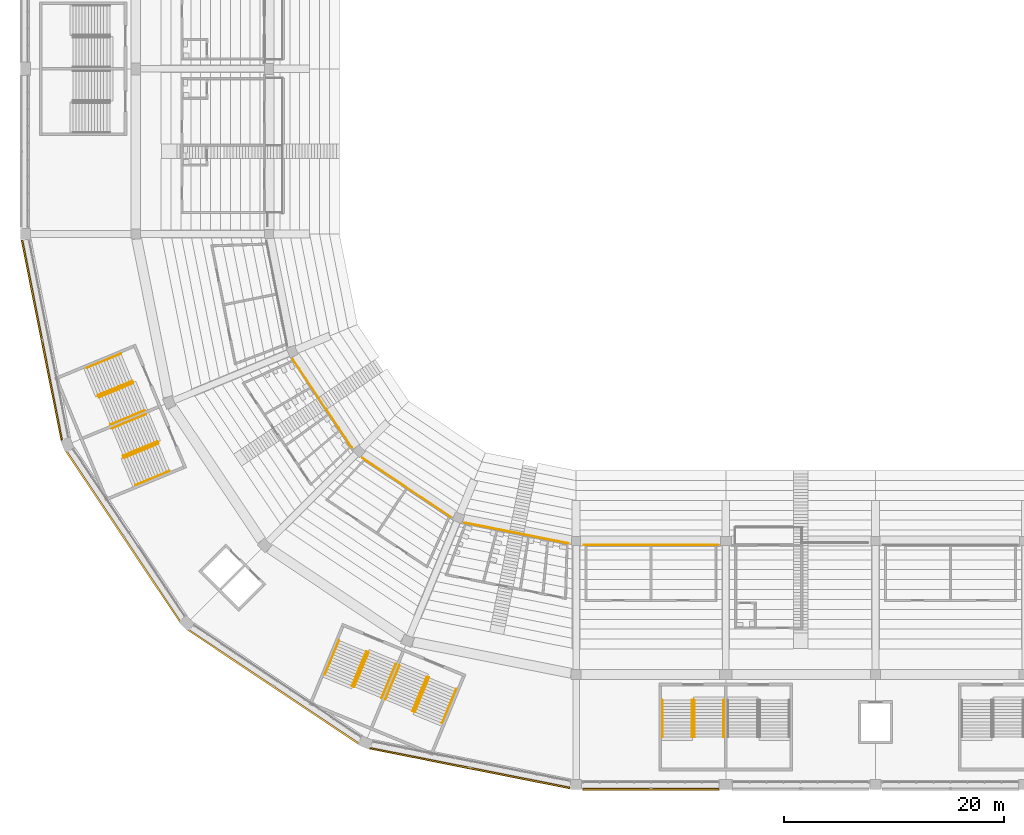
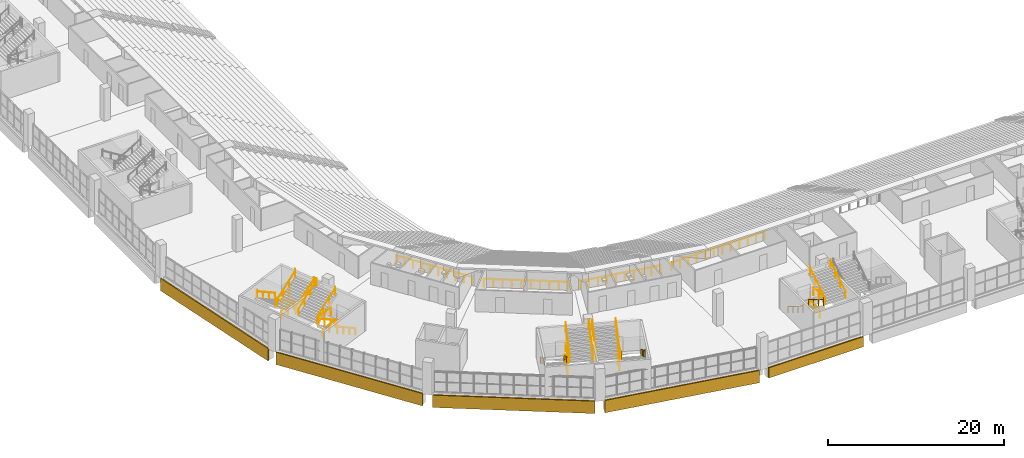
# One storey, part 233 of 249: 34 railings, 5 coverings.
"""IFC4 building model written with IfcOpenShell, lengths in metres."""

from ifc_helpers import new_model, si_unit, direction, frame, origin, origin_2d, place, context, subcontext, project, spatial, polyline, circle, outline, extrude, material, layer, layer_set, type_object, element, save


model = new_model("IFC4")

# Units and contexts
model_context = context("Model", 3, precision=1e-05, world=origin(), true_north=direction((0.0, 1.0)))
body_context = subcontext(model_context, "Body", "Model", "MODEL_VIEW")
ifc_project = project(units=[si_unit("LENGTHUNIT", "METRE"), si_unit("AREAUNIT", "SQUARE_METRE"), si_unit("VOLUMEUNIT", "CUBIC_METRE"), si_unit("PLANEANGLEUNIT", "RADIAN"), si_unit("MASSUNIT", "GRAM", prefix="KILO")], contexts=[model_context])

# Site, building, storey
site_placement = place(None, origin())
site = spatial("IfcSite", under=ifc_project, at=site_placement, CompositionType="ELEMENT")
building_placement = place(site_placement, origin())
building = spatial("IfcBuilding", under=site, at=building_placement, Name="Ogive Plaza Stadium", CompositionType="ELEMENT")
storey_placement = place(building_placement, frame((0.0, 0.0, 13.5)))
storey = spatial("IfcBuildingStorey", under=building, at=storey_placement, Name="L03", CompositionType="ELEMENT", Elevation=13.5)

# Railings
ifc_material_1 = material(Name="Steel ASTM A572 Grade 50", Category="steel")
railing_type_1 = type_object("IfcRailingType", Name="Guard 1100", PredefinedType="GUARDRAIL", material=ifc_material_1)
for number, where, name in (
    (1, (-23.375, -94.85009765625, 0.0), "Stair well guard ST16A L03"),
    (2, (-23.375, -95.81005859375, 2.25), "Stair well guard ST16A L03"),
):
    element("IfcRailing", number, at=place(storey_placement, frame(where)), inside=storey, type_object=railing_type_1, Name=name, PredefinedType="GUARDRAIL", context=body_context, shape_type="SweptSolid", body=[
        extrude(circle(Radius=0.02392578125, at=origin_2d()), frame((0.0, 0.0, 1.076171875), z_axis=(0.0, -1.0, 0.0), x_axis=(1.0, 0.0, 0.0)), (0.0, 0.0, 1.0), 2.39990234375),
        extrude(circle(Radius=0.02099609375, at=origin_2d()), origin(), (0.0, 0.0, 1.0), 1.052001953125),
        extrude(circle(Radius=0.02099609375, at=origin_2d()), frame((0.0, -1.199951171875, 0.0)), (0.0, 0.0, 1.0), 1.052001953125),
        extrude(circle(Radius=0.02099609375, at=origin_2d()), frame((0.0, -2.39990234375, 0.0)), (0.0, 0.0, 1.0), 1.052001953125),
    ])
for number, where, name in (
    (3, (-52.955078125, -90.48779296875, 0.0), "Stair well guard ST18A L03"),
    (4, (-53.322509765625, -91.374755859375, 2.25), "Stair well guard ST18A L03"),
    (5, (-47.4580078125, -92.764892578125, 0.0), "Stair well guard ST18B L03"),
    (6, (-47.825439453125, -93.651611328125, 2.25), "Stair well guard ST18B L03"),
):
    element("IfcRailing", number, at=place(storey_placement, frame(where)), inside=storey, type_object=railing_type_1, Name=name, PredefinedType="GUARDRAIL", context=body_context, shape_type="SweptSolid", body=[
        extrude(circle(Radius=0.02392578125, at=origin_2d()), frame((0.0, 0.0, 1.076171875), z_axis=(-0.382693194178, -0.923875488976, 0.0), x_axis=(0.923875488976, -0.382693194178, 0.0)), (0.0, 0.0, 1.0), 2.39990234375),
        extrude(circle(Radius=0.02099609375, at=origin_2d()), origin(), (0.0, 0.0, 1.0), 1.052001953125),
        extrude(circle(Radius=0.02099609375, at=origin_2d()), frame((-0.459228515625, -1.108642578125, 0.0)), (0.0, 0.0, 1.0), 1.052001953125),
        extrude(circle(Radius=0.02099609375, at=origin_2d()), frame((-0.91845703125, -2.21728515625, 0.0)), (0.0, 0.0, 1.0), 1.052001953125),
    ])
for number, where, name in (
    (7, (-74.264892578125, -65.9580078125, 0.0), "Stair well guard ST20A L03"),
    (8, (-75.151611328125, -66.325439453125, 2.25), "Stair well guard ST20A L03"),
    (9, (-71.98779296875, -71.455078125, 0.0), "Stair well guard ST20B L03"),
    (10, (-72.874755859375, -71.822509765625, 2.25), "Stair well guard ST20B L03"),
):
    element("IfcRailing", number, at=place(storey_placement, frame(where)), inside=storey, type_object=railing_type_1, Name=name, PredefinedType="GUARDRAIL", context=body_context, shape_type="SweptSolid", body=[
        extrude(circle(Radius=0.02392578125, at=origin_2d()), frame((0.0, 0.0, 1.076171875), z_axis=(-0.923875488976, -0.382693194178, 0.0), x_axis=(0.382693194178, -0.923875488976, 0.0)), (0.0, 0.0, 1.0), 2.39990234375),
        extrude(circle(Radius=0.02099609375, at=origin_2d()), origin(), (0.0, 0.0, 1.0), 1.052001953125),
        extrude(circle(Radius=0.02099609375, at=origin_2d()), frame((-1.108642578125, -0.459228515625, 0.0)), (0.0, 0.0, 1.0), 1.052001953125),
        extrude(circle(Radius=0.02099609375, at=origin_2d()), frame((-2.21728515625, -0.91845703125, 0.0)), (0.0, 0.0, 1.0), 1.052001953125),
    ])
railing_1_placement = place(storey_placement, frame((-21.10009765625, -80.75, 0.0)))
element("IfcRailing", 11, at=railing_1_placement, inside=storey, type_object=railing_type_1, Name="Guard L03 B16", PredefinedType="GUARDRAIL", context=body_context, shape_type="SweptSolid", body=[
    extrude(circle(Radius=0.02392578125, at=origin_2d()), frame((0.0, 0.0, 1.076171875), z_axis=(-1.0, 0.0, 0.0), x_axis=(0.0, -1.0, 0.0)), (0.0, 0.0, 1.0), 12.199951171875),
    extrude(circle(Radius=0.02099609375, at=origin_2d()), origin(), (0.0, 0.0, 1.0), 1.052001953125),
    extrude(circle(Radius=0.02099609375, at=origin_2d()), frame((-1.109130859375, 0.0, 0.0)), (0.0, 0.0, 1.0), 1.052001953125),
    extrude(circle(Radius=0.02099609375, at=origin_2d()), frame((-2.21826171875, 0.0, 0.0)), (0.0, 0.0, 1.0), 1.052001953125),
    extrude(circle(Radius=0.02099609375, at=origin_2d()), frame((-3.3271484375, 0.0, 0.0)), (0.0, 0.0, 1.0), 1.052001953125),
    extrude(circle(Radius=0.02099609375, at=origin_2d()), frame((-4.436279296875, 0.0, 0.0)), (0.0, 0.0, 1.0), 1.052001953125),
    extrude(circle(Radius=0.02099609375, at=origin_2d()), frame((-5.54541015625, 0.0, 0.0)), (0.0, 0.0, 1.0), 1.052001953125),
    extrude(circle(Radius=0.02099609375, at=origin_2d()), frame((-6.654541015625, 0.0, 0.0)), (0.0, 0.0, 1.0), 1.052001953125),
    extrude(circle(Radius=0.02099609375, at=origin_2d()), frame((-7.763671875, 0.0, 0.0)), (0.0, 0.0, 1.0), 1.052001953125),
    extrude(circle(Radius=0.02099609375, at=origin_2d()), frame((-8.872802734375, 0.0, 0.0)), (0.0, 0.0, 1.0), 1.052001953125),
    extrude(circle(Radius=0.02099609375, at=origin_2d()), frame((-9.981689453125, 0.0, 0.0)), (0.0, 0.0, 1.0), 1.052001953125),
    extrude(circle(Radius=0.02099609375, at=origin_2d()), frame((-11.0908203125, 0.0, 0.0)), (0.0, 0.0, 1.0), 1.052001953125),
    extrude(circle(Radius=0.02099609375, at=origin_2d()), frame((-12.199951171875, 0.0, 0.0)), (0.0, 0.0, 1.0), 1.052001953125),
])
railing_2_placement = place(storey_placement, frame((-34.6865234375, -80.613525390625, 0.0)))
element("IfcRailing", 12, at=railing_2_placement, inside=storey, type_object=railing_type_1, Name="Guard L03 B17", PredefinedType="GUARDRAIL", context=body_context, shape_type="SweptSolid", body=[
    extrude(circle(Radius=0.02392578125, at=origin_2d()), frame((0.0, 0.0, 1.076171875), z_axis=(-0.980782150928, 0.195106054289, 0.0), x_axis=(-0.195106054289, -0.980782150928, 0.0)), (0.0, 0.0, 1.0), 9.62255859375),
    extrude(circle(Radius=0.02099609375, at=origin_2d()), origin(), (0.0, 0.0, 1.0), 1.052001953125),
    extrude(circle(Radius=0.02099609375, at=origin_2d()), frame((-1.048583984375, 0.20849609375, 0.0)), (0.0, 0.0, 1.0), 1.052001953125),
    extrude(circle(Radius=0.02099609375, at=origin_2d()), frame((-2.09716796875, 0.417236328125, 0.0)), (0.0, 0.0, 1.0), 1.052001953125),
    extrude(circle(Radius=0.02099609375, at=origin_2d()), frame((-3.14599609375, 0.625732421875, 0.0)), (0.0, 0.0, 1.0), 1.052001953125),
    extrude(circle(Radius=0.02099609375, at=origin_2d()), frame((-4.194580078125, 0.83447265625, 0.0)), (0.0, 0.0, 1.0), 1.052001953125),
    extrude(circle(Radius=0.02099609375, at=origin_2d()), frame((-5.2431640625, 1.04296875, 0.0)), (0.0, 0.0, 1.0), 1.052001953125),
    extrude(circle(Radius=0.02099609375, at=origin_2d()), frame((-6.291748046875, 1.251708984375, 0.0)), (0.0, 0.0, 1.0), 1.052001953125),
    extrude(circle(Radius=0.02099609375, at=origin_2d()), frame((-7.340576171875, 1.460205078125, 0.0)), (0.0, 0.0, 1.0), 1.052001953125),
    extrude(circle(Radius=0.02099609375, at=origin_2d()), frame((-8.38916015625, 1.6689453125, 0.0)), (0.0, 0.0, 1.0), 1.052001953125),
    extrude(circle(Radius=0.02099609375, at=origin_2d()), frame((-9.437744140625, 1.87744140625, 0.0)), (0.0, 0.0, 1.0), 1.052001953125),
])
railing_3_placement = place(storey_placement, frame((-45.392822265625, -78.210693359375, 0.0)))
element("IfcRailing", 13, at=railing_3_placement, inside=storey, type_object=railing_type_1, Name="Guard L03 B18", PredefinedType="GUARDRAIL", context=body_context, shape_type="SweptSolid", body=[
    extrude(circle(Radius=0.02392578125, at=origin_2d()), frame((0.0, 0.0, 1.076171875), z_axis=(-0.831476062087, 0.555560580114, 0.0), x_axis=(-0.555560580114, -0.831476062087, 0.0)), (0.0, 0.0, 1.0), 9.62255859375),
    extrude(circle(Radius=0.02099609375, at=origin_2d()), origin(), (0.0, 0.0, 1.0), 1.052001953125),
    extrude(circle(Radius=0.02099609375, at=origin_2d()), frame((-0.888916015625, 0.593994140625, 0.0)), (0.0, 0.0, 1.0), 1.052001953125),
    extrude(circle(Radius=0.02099609375, at=origin_2d()), frame((-1.778076171875, 1.18798828125, 0.0)), (0.0, 0.0, 1.0), 1.052001953125),
    extrude(circle(Radius=0.02099609375, at=origin_2d()), frame((-2.6669921875, 1.781982421875, 0.0)), (0.0, 0.0, 1.0), 1.052001953125),
    extrude(circle(Radius=0.02099609375, at=origin_2d()), frame((-3.555908203125, 2.3759765625, 0.0)), (0.0, 0.0, 1.0), 1.052001953125),
    extrude(circle(Radius=0.02099609375, at=origin_2d()), frame((-4.445068359375, 2.969970703125, 0.0)), (0.0, 0.0, 1.0), 1.052001953125),
    extrude(circle(Radius=0.02099609375, at=origin_2d()), frame((-5.333984375, 3.56396484375, 0.0)), (0.0, 0.0, 1.0), 1.052001953125),
    extrude(circle(Radius=0.02099609375, at=origin_2d()), frame((-6.222900390625, 4.157958984375, 0.0)), (0.0, 0.0, 1.0), 1.052001953125),
    extrude(circle(Radius=0.02099609375, at=origin_2d()), frame((-7.112060546875, 4.751953125, 0.0)), (0.0, 0.0, 1.0), 1.052001953125),
    extrude(circle(Radius=0.02099609375, at=origin_2d()), frame((-8.0009765625, 5.345947265625, 0.0)), (0.0, 0.0, 1.0), 1.052001953125),
])
railing_4_placement = place(storey_placement, frame((-54.36474609375, -71.893798828125, 0.0)))
element("IfcRailing", 14, at=railing_4_placement, inside=storey, type_object=railing_type_1, Name="Guard L03 B19", PredefinedType="GUARDRAIL", context=body_context, shape_type="SweptSolid", body=[
    extrude(circle(Radius=0.02392578125, at=origin_2d()), frame((0.0, 0.0, 1.076171875), z_axis=(-0.555560580114, 0.831476062087, 0.0), x_axis=(-0.831476062087, -0.555560580114, 0.0)), (0.0, 0.0, 1.0), 9.62255859375),
    extrude(circle(Radius=0.02099609375, at=origin_2d()), origin(), (0.0, 0.0, 1.0), 1.052001953125),
    extrude(circle(Radius=0.02099609375, at=origin_2d()), frame((-0.593994140625, 0.888916015625, 0.0)), (0.0, 0.0, 1.0), 1.052001953125),
    extrude(circle(Radius=0.02099609375, at=origin_2d()), frame((-1.18798828125, 1.778076171875, 0.0)), (0.0, 0.0, 1.0), 1.052001953125),
    extrude(circle(Radius=0.02099609375, at=origin_2d()), frame((-1.781982421875, 2.6669921875, 0.0)), (0.0, 0.0, 1.0), 1.052001953125),
    extrude(circle(Radius=0.02099609375, at=origin_2d()), frame((-2.3759765625, 3.555908203125, 0.0)), (0.0, 0.0, 1.0), 1.052001953125),
    extrude(circle(Radius=0.02099609375, at=origin_2d()), frame((-2.969970703125, 4.445068359375, 0.0)), (0.0, 0.0, 1.0), 1.052001953125),
    extrude(circle(Radius=0.02099609375, at=origin_2d()), frame((-3.56396484375, 5.333984375, 0.0)), (0.0, 0.0, 1.0), 1.052001953125),
    extrude(circle(Radius=0.02099609375, at=origin_2d()), frame((-4.157958984375, 6.222900390625, 0.0)), (0.0, 0.0, 1.0), 1.052001953125),
    extrude(circle(Radius=0.02099609375, at=origin_2d()), frame((-4.751953125, 7.112060546875, 0.0)), (0.0, 0.0, 1.0), 1.052001953125),
    extrude(circle(Radius=0.02099609375, at=origin_2d()), frame((-5.345947265625, 8.0009765625, 0.0)), (0.0, 0.0, 1.0), 1.052001953125),
])
ifc_material_2 = material(Name="Steel ASTM A572 Grade 50", Category="steel")
railing_type_2 = type_object("IfcRailingType", Name="Handrail 900", PredefinedType="HANDRAIL", material=ifc_material_2)
for number, where, name in (
    (15, (-26.1650390625, -94.85009765625, 0.173095703125), "Handrail ST16A L03"),
    (16, (-23.485107421875, -94.85009765625, 0.173095703125), "Handrail ST16A L03"),
):
    element("IfcRailing", number, at=place(storey_placement, frame(where)), inside=storey, type_object=railing_type_2, Name=name, PredefinedType="HANDRAIL", context=body_context, shape_type="SweptSolid", body=[
        extrude(circle(Radius=0.02392578125, at=origin_2d()), frame((0.0, 0.0, 0.8759765625), z_axis=(0.0, -0.850606129759, 0.525803396734), x_axis=(1.0, 0.0, 0.0)), (0.0, 0.0, 1.0), 3.949951171875),
        extrude(circle(Radius=0.02099609375, at=origin_2d()), origin(), (0.0, 0.0, 1.0), 0.851806640625),
        extrude(circle(Radius=0.02099609375, at=origin_2d()), frame((0.0, -1.119873046875, 0.6923828125)), (0.0, 0.0, 1.0), 0.851806640625),
        extrude(circle(Radius=0.02099609375, at=origin_2d()), frame((0.0, -2.239990234375, 1.384521484375)), (0.0, 0.0, 1.0), 0.851806640625),
        extrude(circle(Radius=0.02099609375, at=origin_2d()), frame((0.0, -3.35986328125, 2.076904296875)), (0.0, 0.0, 1.0), 1.10009765625),
    ])
for number, where, name in (
    (17, (-23.264892578125, -98.2099609375, 2.423095703125), "Handrail ST16A L03"),
    (18, (-20.5849609375, -98.2099609375, 2.423095703125), "Handrail ST16A L03"),
):
    element("IfcRailing", number, at=place(storey_placement, frame(where)), inside=storey, type_object=railing_type_2, Name=name, PredefinedType="HANDRAIL", context=body_context, shape_type="SweptSolid", body=[
        extrude(circle(Radius=0.02392578125, at=origin_2d()), frame((0.0, 0.0, 0.8759765625), z_axis=(0.0, 0.850606129759, 0.525803396734), x_axis=(-1.0, 0.0, 0.0)), (0.0, 0.0, 1.0), 3.949951171875),
        extrude(circle(Radius=0.02099609375, at=origin_2d()), origin(), (0.0, 0.0, 1.0), 0.851806640625),
        extrude(circle(Radius=0.02099609375, at=origin_2d()), frame((0.0, 1.119873046875, 0.6923828125)), (0.0, 0.0, 1.0), 0.851806640625),
        extrude(circle(Radius=0.02099609375, at=origin_2d()), frame((0.0, 2.239990234375, 1.384521484375)), (0.0, 0.0, 1.0), 0.851806640625),
        extrude(circle(Radius=0.02099609375, at=origin_2d()), frame((0.0, 3.35986328125, 2.076904296875)), (0.0, 0.0, 1.0), 1.10009765625),
    ])
railing_5_placement = place(storey_placement, frame((-55.53271484375, -89.420166015625, 0.173095703125)))
element("IfcRailing", 19, at=railing_5_placement, inside=storey, type_object=railing_type_2, Name="Handrail ST18A L03", PredefinedType="HANDRAIL", context=body_context, shape_type="SweptSolid", body=[
    extrude(circle(Radius=0.02392578125, at=origin_2d()), frame((0.0, 0.0, 0.8759765625), z_axis=(-0.32553207776, -0.785862990074, 0.525783441334), x_axis=(0.923872479269, -0.382700459954, 0.0)), (0.0, 0.0, 1.0), 3.9501953125),
    extrude(circle(Radius=0.02099609375, at=origin_2d()), origin(), (0.0, 0.0, 1.0), 0.851806640625),
    extrude(circle(Radius=0.02099609375, at=origin_2d()), frame((-0.4287109375, -1.03466796875, 0.6923828125)), (0.0, 0.0, 1.0), 0.851806640625),
    extrude(circle(Radius=0.02099609375, at=origin_2d()), frame((-0.857177734375, -2.069580078125, 1.384521484375)), (0.0, 0.0, 1.0), 0.851806640625),
    extrude(circle(Radius=0.02099609375, at=origin_2d()), frame((-1.285888671875, -3.104248046875, 2.076904296875)), (0.0, 0.0, 1.0), 1.10009765625),
])
railing_6_placement = place(storey_placement, frame((-53.056884765625, -90.44580078125, 0.173095703125)))
element("IfcRailing", 20, at=railing_6_placement, inside=storey, type_object=railing_type_2, Name="Handrail ST18A L03", PredefinedType="HANDRAIL", context=body_context, shape_type="SweptSolid", body=[
    extrude(circle(Radius=0.02392578125, at=origin_2d()), frame((0.0, 0.0, 0.8759765625), z_axis=(-0.325476819766, -0.785878800478, 0.525794019321), x_axis=(0.923898168054, -0.382638439086, 0.0)), (0.0, 0.0, 1.0), 3.949951171875),
    extrude(circle(Radius=0.02099609375, at=origin_2d()), origin(), (0.0, 0.0, 1.0), 0.851806640625),
    extrude(circle(Radius=0.02099609375, at=origin_2d()), frame((-0.428466796875, -1.03466796875, 0.6923828125)), (0.0, 0.0, 1.0), 0.851806640625),
    extrude(circle(Radius=0.02099609375, at=origin_2d()), frame((-0.857177734375, -2.069580078125, 1.384521484375)), (0.0, 0.0, 1.0), 0.851806640625),
    extrude(circle(Radius=0.02099609375, at=origin_2d()), frame((-1.28564453125, -3.104248046875, 2.076904296875)), (0.0, 0.0, 1.0), 1.10009765625),
])
railing_7_placement = place(storey_placement, frame((-54.139404296875, -93.634033203125, 2.423095703125)))
element("IfcRailing", 21, at=railing_7_placement, inside=storey, type_object=railing_type_2, Name="Handrail ST18A L03", PredefinedType="HANDRAIL", context=body_context, shape_type="SweptSolid", body=[
    extrude(circle(Radius=0.02392578125, at=origin_2d()), frame((0.0, 0.0, 0.8759765625), z_axis=(0.325547889718, 0.78583935255, 0.525808980033), x_axis=(-0.923861836433, 0.382726151683, 0.0)), (0.0, 0.0, 1.0), 3.949951171875),
    extrude(circle(Radius=0.02099609375, at=origin_2d()), origin(), (0.0, 0.0, 1.0), 0.851806640625),
    extrude(circle(Radius=0.02099609375, at=origin_2d()), frame((0.4287109375, 1.03466796875, 0.6923828125)), (0.0, 0.0, 1.0), 0.851806640625),
    extrude(circle(Radius=0.02099609375, at=origin_2d()), frame((0.857177734375, 2.0693359375, 1.384521484375)), (0.0, 0.0, 1.0), 0.851806640625),
    extrude(circle(Radius=0.02099609375, at=origin_2d()), frame((1.285888671875, 3.10400390625, 2.076904296875)), (0.0, 0.0, 1.0), 1.10009765625),
])
railing_8_placement = place(storey_placement, frame((-51.663330078125, -94.65966796875, 2.423095703125)))
element("IfcRailing", 22, at=railing_8_placement, inside=storey, type_object=railing_type_2, Name="Handrail ST18A L03", PredefinedType="HANDRAIL", context=body_context, shape_type="SweptSolid", body=[
    extrude(circle(Radius=0.02392578125, at=origin_2d()), frame((0.0, 0.0, 0.8759765625), z_axis=(0.32553207776, 0.785862990074, 0.525783441334), x_axis=(-0.923872479269, 0.382700459954, 0.0)), (0.0, 0.0, 1.0), 3.9501953125),
    extrude(circle(Radius=0.02099609375, at=origin_2d()), origin(), (0.0, 0.0, 1.0), 0.851806640625),
    extrude(circle(Radius=0.02099609375, at=origin_2d()), frame((0.4287109375, 1.03466796875, 0.6923828125)), (0.0, 0.0, 1.0), 0.851806640625),
    extrude(circle(Radius=0.02099609375, at=origin_2d()), frame((0.857177734375, 2.069580078125, 1.384521484375)), (0.0, 0.0, 1.0), 0.851806640625),
    extrude(circle(Radius=0.02099609375, at=origin_2d()), frame((1.285888671875, 3.104248046875, 2.076904296875)), (0.0, 0.0, 1.0), 1.10009765625),
])
for number, where, name in (
    (23, (-47.3564453125, -92.806884765625, 0.173095703125), "Handrail ST18B L03"),
    (24, (-44.88037109375, -93.83251953125, 0.173095703125), "Handrail ST18B L03"),
):
    element("IfcRailing", number, at=place(storey_placement, frame(where)), inside=storey, type_object=railing_type_2, Name=name, PredefinedType="HANDRAIL", context=body_context, shape_type="SweptSolid", body=[
        extrude(circle(Radius=0.02392578125, at=origin_2d()), frame((0.0, 0.0, 0.8759765625), z_axis=(-0.32553207776, -0.785862990074, 0.525783441334), x_axis=(0.923872479269, -0.382700459954, 0.0)), (0.0, 0.0, 1.0), 3.9501953125),
        extrude(circle(Radius=0.02099609375, at=origin_2d()), origin(), (0.0, 0.0, 1.0), 0.851806640625),
        extrude(circle(Radius=0.02099609375, at=origin_2d()), frame((-0.4287109375, -1.03466796875, 0.6923828125)), (0.0, 0.0, 1.0), 0.851806640625),
        extrude(circle(Radius=0.02099609375, at=origin_2d()), frame((-0.857177734375, -2.069580078125, 1.384521484375)), (0.0, 0.0, 1.0), 0.851806640625),
        extrude(circle(Radius=0.02099609375, at=origin_2d()), frame((-1.285888671875, -3.104248046875, 2.076904296875)), (0.0, 0.0, 1.0), 1.10009765625),
    ])
railing_9_placement = place(storey_placement, frame((-51.321533203125, -94.80126953125, 2.423095703125)))
element("IfcRailing", 25, at=railing_9_placement, inside=storey, type_object=railing_type_2, Name="Handrail ST18B L03", PredefinedType="HANDRAIL", context=body_context, shape_type="SweptSolid", body=[
    extrude(circle(Radius=0.02392578125, at=origin_2d()), frame((0.0, 0.0, 0.8759765625), z_axis=(0.32553207776, 0.785862990074, 0.525783441334), x_axis=(-0.923872479269, 0.382700459954, 0.0)), (0.0, 0.0, 1.0), 3.9501953125),
    extrude(circle(Radius=0.02099609375, at=origin_2d()), origin(), (0.0, 0.0, 1.0), 0.851806640625),
    extrude(circle(Radius=0.02099609375, at=origin_2d()), frame((0.4287109375, 1.03466796875, 0.6923828125)), (0.0, 0.0, 1.0), 0.851806640625),
    extrude(circle(Radius=0.02099609375, at=origin_2d()), frame((0.857177734375, 2.069580078125, 1.384521484375)), (0.0, 0.0, 1.0), 0.851806640625),
    extrude(circle(Radius=0.02099609375, at=origin_2d()), frame((1.285888671875, 3.104248046875, 2.076904296875)), (0.0, 0.0, 1.0), 1.10009765625),
])
railing_10_placement = place(storey_placement, frame((-48.845458984375, -95.826904296875, 2.423095703125)))
element("IfcRailing", 26, at=railing_10_placement, inside=storey, type_object=railing_type_2, Name="Handrail ST18B L03", PredefinedType="HANDRAIL", context=body_context, shape_type="SweptSolid", body=[
    extrude(circle(Radius=0.02392578125, at=origin_2d()), frame((0.0, 0.0, 0.8759765625), z_axis=(0.325476819766, 0.785878800478, 0.525794019321), x_axis=(-0.923898168054, 0.382638439086, 0.0)), (0.0, 0.0, 1.0), 3.949951171875),
    extrude(circle(Radius=0.02099609375, at=origin_2d()), origin(), (0.0, 0.0, 1.0), 0.851806640625),
    extrude(circle(Radius=0.02099609375, at=origin_2d()), frame((0.428466796875, 1.03466796875, 0.6923828125)), (0.0, 0.0, 1.0), 0.851806640625),
    extrude(circle(Radius=0.02099609375, at=origin_2d()), frame((0.857177734375, 2.069580078125, 1.384521484375)), (0.0, 0.0, 1.0), 0.851806640625),
    extrude(circle(Radius=0.02099609375, at=origin_2d()), frame((1.28564453125, 3.104248046875, 2.076904296875)), (0.0, 0.0, 1.0), 1.10009765625),
])
for number, where, name in (
    (27, (-75.33251953125, -63.38037109375, 0.173095703125), "Handrail ST20A L03"),
    (28, (-74.306884765625, -65.8564453125, 0.173095703125), "Handrail ST20A L03"),
):
    element("IfcRailing", number, at=place(storey_placement, frame(where)), inside=storey, type_object=railing_type_2, Name=name, PredefinedType="HANDRAIL", context=body_context, shape_type="SweptSolid", body=[
        extrude(circle(Radius=0.02392578125, at=origin_2d()), frame((0.0, 0.0, 0.8759765625), z_axis=(-0.785862990074, -0.32553207776, 0.525783441334), x_axis=(0.382700459954, -0.923872479269, 0.0)), (0.0, 0.0, 1.0), 3.9501953125),
        extrude(circle(Radius=0.02099609375, at=origin_2d()), origin(), (0.0, 0.0, 1.0), 0.851806640625),
        extrude(circle(Radius=0.02099609375, at=origin_2d()), frame((-1.03466796875, -0.4287109375, 0.6923828125)), (0.0, 0.0, 1.0), 0.851806640625),
        extrude(circle(Radius=0.02099609375, at=origin_2d()), frame((-2.069580078125, -0.857177734375, 1.384521484375)), (0.0, 0.0, 1.0), 0.851806640625),
        extrude(circle(Radius=0.02099609375, at=origin_2d()), frame((-3.104248046875, -1.285888671875, 2.076904296875)), (0.0, 0.0, 1.0), 1.10009765625),
    ])
railing_11_placement = place(storey_placement, frame((-77.326904296875, -67.345458984375, 2.423095703125)))
element("IfcRailing", 29, at=railing_11_placement, inside=storey, type_object=railing_type_2, Name="Handrail ST20A L03", PredefinedType="HANDRAIL", context=body_context, shape_type="SweptSolid", body=[
    extrude(circle(Radius=0.02392578125, at=origin_2d()), frame((0.0, 0.0, 0.8759765625), z_axis=(0.785878800478, 0.325476819766, 0.525794019321), x_axis=(-0.382638439086, 0.923898168054, 0.0)), (0.0, 0.0, 1.0), 3.949951171875),
    extrude(circle(Radius=0.02099609375, at=origin_2d()), origin(), (0.0, 0.0, 1.0), 0.851806640625),
    extrude(circle(Radius=0.02099609375, at=origin_2d()), frame((1.03466796875, 0.428466796875, 0.6923828125)), (0.0, 0.0, 1.0), 0.851806640625),
    extrude(circle(Radius=0.02099609375, at=origin_2d()), frame((2.069580078125, 0.857177734375, 1.384521484375)), (0.0, 0.0, 1.0), 0.851806640625),
    extrude(circle(Radius=0.02099609375, at=origin_2d()), frame((3.104248046875, 1.28564453125, 2.076904296875)), (0.0, 0.0, 1.0), 1.10009765625),
])
railing_12_placement = place(storey_placement, frame((-76.30126953125, -69.821533203125, 2.423095703125)))
element("IfcRailing", 30, at=railing_12_placement, inside=storey, type_object=railing_type_2, Name="Handrail ST20A L03", PredefinedType="HANDRAIL", context=body_context, shape_type="SweptSolid", body=[
    extrude(circle(Radius=0.02392578125, at=origin_2d()), frame((0.0, 0.0, 0.8759765625), z_axis=(0.785862990074, 0.32553207776, 0.525783441334), x_axis=(-0.382700459954, 0.923872479269, 0.0)), (0.0, 0.0, 1.0), 3.9501953125),
    extrude(circle(Radius=0.02099609375, at=origin_2d()), origin(), (0.0, 0.0, 1.0), 0.851806640625),
    extrude(circle(Radius=0.02099609375, at=origin_2d()), frame((1.03466796875, 0.4287109375, 0.6923828125)), (0.0, 0.0, 1.0), 0.851806640625),
    extrude(circle(Radius=0.02099609375, at=origin_2d()), frame((2.069580078125, 0.857177734375, 1.384521484375)), (0.0, 0.0, 1.0), 0.851806640625),
    extrude(circle(Radius=0.02099609375, at=origin_2d()), frame((3.104248046875, 1.285888671875, 2.076904296875)), (0.0, 0.0, 1.0), 1.10009765625),
])
railing_13_placement = place(storey_placement, frame((-71.94580078125, -71.556884765625, 0.173095703125)))
element("IfcRailing", 31, at=railing_13_placement, inside=storey, type_object=railing_type_2, Name="Handrail ST20B L03", PredefinedType="HANDRAIL", context=body_context, shape_type="SweptSolid", body=[
    extrude(circle(Radius=0.02392578125, at=origin_2d()), frame((0.0, 0.0, 0.8759765625), z_axis=(-0.785878800478, -0.325476819766, 0.525794019321), x_axis=(0.382638439086, -0.923898168054, 0.0)), (0.0, 0.0, 1.0), 3.949951171875),
    extrude(circle(Radius=0.02099609375, at=origin_2d()), origin(), (0.0, 0.0, 1.0), 0.851806640625),
    extrude(circle(Radius=0.02099609375, at=origin_2d()), frame((-1.03466796875, -0.428466796875, 0.6923828125)), (0.0, 0.0, 1.0), 0.851806640625),
    extrude(circle(Radius=0.02099609375, at=origin_2d()), frame((-2.069580078125, -0.857177734375, 1.384521484375)), (0.0, 0.0, 1.0), 0.851806640625),
    extrude(circle(Radius=0.02099609375, at=origin_2d()), frame((-3.104248046875, -1.28564453125, 2.076904296875)), (0.0, 0.0, 1.0), 1.10009765625),
])
railing_14_placement = place(storey_placement, frame((-70.920166015625, -74.03271484375, 0.173095703125)))
element("IfcRailing", 32, at=railing_14_placement, inside=storey, type_object=railing_type_2, Name="Handrail ST20B L03", PredefinedType="HANDRAIL", context=body_context, shape_type="SweptSolid", body=[
    extrude(circle(Radius=0.02392578125, at=origin_2d()), frame((0.0, 0.0, 0.8759765625), z_axis=(-0.785862990074, -0.32553207776, 0.525783441334), x_axis=(0.382700459954, -0.923872479269, 0.0)), (0.0, 0.0, 1.0), 3.9501953125),
    extrude(circle(Radius=0.02099609375, at=origin_2d()), origin(), (0.0, 0.0, 1.0), 0.851806640625),
    extrude(circle(Radius=0.02099609375, at=origin_2d()), frame((-1.03466796875, -0.4287109375, 0.6923828125)), (0.0, 0.0, 1.0), 0.851806640625),
    extrude(circle(Radius=0.02099609375, at=origin_2d()), frame((-2.069580078125, -0.857177734375, 1.384521484375)), (0.0, 0.0, 1.0), 0.851806640625),
    extrude(circle(Radius=0.02099609375, at=origin_2d()), frame((-3.104248046875, -1.285888671875, 2.076904296875)), (0.0, 0.0, 1.0), 1.10009765625),
])
railing_15_placement = place(storey_placement, frame((-76.15966796875, -70.163330078125, 2.423095703125)))
element("IfcRailing", 33, at=railing_15_placement, inside=storey, type_object=railing_type_2, Name="Handrail ST20B L03", PredefinedType="HANDRAIL", context=body_context, shape_type="SweptSolid", body=[
    extrude(circle(Radius=0.02392578125, at=origin_2d()), frame((0.0, 0.0, 0.8759765625), z_axis=(0.785862990074, 0.32553207776, 0.525783441334), x_axis=(-0.382700459954, 0.923872479269, 0.0)), (0.0, 0.0, 1.0), 3.9501953125),
    extrude(circle(Radius=0.02099609375, at=origin_2d()), origin(), (0.0, 0.0, 1.0), 0.851806640625),
    extrude(circle(Radius=0.02099609375, at=origin_2d()), frame((1.03466796875, 0.4287109375, 0.6923828125)), (0.0, 0.0, 1.0), 0.851806640625),
    extrude(circle(Radius=0.02099609375, at=origin_2d()), frame((2.069580078125, 0.857177734375, 1.384521484375)), (0.0, 0.0, 1.0), 0.851806640625),
    extrude(circle(Radius=0.02099609375, at=origin_2d()), frame((3.104248046875, 1.285888671875, 2.076904296875)), (0.0, 0.0, 1.0), 1.10009765625),
])
railing_16_placement = place(storey_placement, frame((-75.134033203125, -72.639404296875, 2.423095703125)))
element("IfcRailing", 34, at=railing_16_placement, inside=storey, type_object=railing_type_2, Name="Handrail ST20B L03", PredefinedType="HANDRAIL", context=body_context, shape_type="SweptSolid", body=[
    extrude(circle(Radius=0.02392578125, at=origin_2d()), frame((0.0, 0.0, 0.8759765625), z_axis=(0.78583935255, 0.325547889718, 0.525808980033), x_axis=(-0.382726151683, 0.923861836433, 0.0)), (0.0, 0.0, 1.0), 3.949951171875),
    extrude(circle(Radius=0.02099609375, at=origin_2d()), origin(), (0.0, 0.0, 1.0), 0.851806640625),
    extrude(circle(Radius=0.02099609375, at=origin_2d()), frame((1.03466796875, 0.4287109375, 0.6923828125)), (0.0, 0.0, 1.0), 0.851806640625),
    extrude(circle(Radius=0.02099609375, at=origin_2d()), frame((2.0693359375, 0.857177734375, 1.384521484375)), (0.0, 0.0, 1.0), 0.851806640625),
    extrude(circle(Radius=0.02099609375, at=origin_2d()), frame((3.10400390625, 1.285888671875, 2.076904296875)), (0.0, 0.0, 1.0), 1.10009765625),
])

# Coverings
ifc_material_3 = material(Name="Cast stone (reconstituted limestone)", Category="masonry")
ifc_layer = layer(ifc_material_3, 0.159912109375)
ifc_layer_set = layer_set([ifc_layer], Name="Precast spandrel cladding 160")
covering_type = type_object("IfcCoveringType", Name="Precast spandrel cladding 160", PredefinedType="CLADDING", material=ifc_layer_set)
covering_1_placement = place(storey_placement, frame((0.0, 0.0, -1.409912109375)))
element("IfcCovering", 35, at=covering_1_placement, inside=storey, type_object=covering_type, Name="SPANDREL CLADDING B16 L03", PredefinedType="CLADDING", context=body_context, shape_type="SweptSolid", body=[
    extrude(outline(polyline([(-21.0, -102.85009765625), (-33.39990234375, -102.85009765625), (-33.39990234375, -103.010009765625), (-21.0, -103.010009765625), (-21.0, -102.85009765625)])), origin(), (0.0, 0.0, 1.0), 1.409912109375),
])
covering_2_placement = place(storey_placement, frame((0.0, 0.0, -1.7099609375)))
element("IfcCovering", 36, at=covering_2_placement, inside=storey, type_object=covering_type, Name="SPANDREL CLADDING B17 L03", PredefinedType="CLADDING", context=body_context, shape_type="SweptSolid", body=[
    extrude(outline(polyline([(-34.550048828125, -102.74755859375), (-52.720703125, -99.133056640625), (-52.751953125, -99.2900390625), (-34.581298828125, -102.904296875), (-34.550048828125, -102.74755859375)])), origin(), (0.0, 0.0, 1.0), 1.7099609375),
])
covering_3_placement = place(storey_placement, frame((0.0, 0.0, -1.7099609375)))
element("IfcCovering", 37, at=covering_3_placement, inside=storey, type_object=covering_type, Name="SPANDREL CLADDING B18 L03", PredefinedType="CLADDING", context=body_context, shape_type="SweptSolid", body=[
    extrude(outline(polyline([(-53.737060546875, -98.712158203125), (-69.141357421875, -88.419189453125), (-69.230224609375, -88.55224609375), (-53.825927734375, -98.84521484375), (-53.737060546875, -98.712158203125)])), origin(), (0.0, 0.0, 1.0), 1.7099609375),
])
covering_4_placement = place(storey_placement, frame((0.0, 0.0, -1.7099609375)))
element("IfcCovering", 38, at=covering_4_placement, inside=storey, type_object=covering_type, Name="SPANDREL CLADDING B19 L03", PredefinedType="CLADDING", context=body_context, shape_type="SweptSolid", body=[
    extrude(outline(polyline([(-69.919189453125, -87.641357421875), (-80.212158203125, -72.237060546875), (-80.34521484375, -72.325927734375), (-70.05224609375, -87.730224609375), (-69.919189453125, -87.641357421875)])), origin(), (0.0, 0.0, 1.0), 1.7099609375),
])
covering_5_placement = place(storey_placement, frame((0.0, 0.0, -1.7099609375)))
element("IfcCovering", 39, at=covering_5_placement, inside=storey, type_object=covering_type, Name="SPANDREL CLADDING B20 L03", PredefinedType="CLADDING", context=body_context, shape_type="SweptSolid", body=[
    extrude(outline(polyline([(-80.633056640625, -71.220703125), (-84.24755859375, -53.050048828125), (-84.404296875, -53.081298828125), (-80.7900390625, -71.251953125), (-80.633056640625, -71.220703125)])), origin(), (0.0, 0.0, 1.0), 1.7099609375),
])

save(model, "model.ifc")
